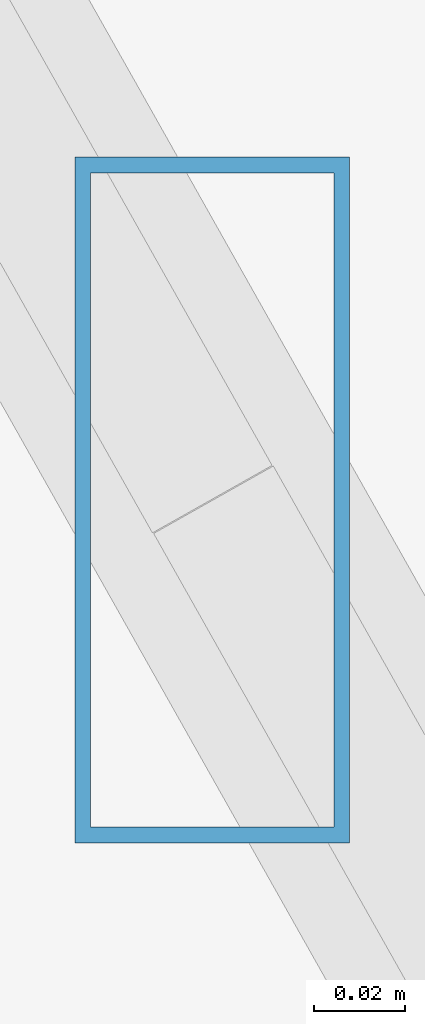
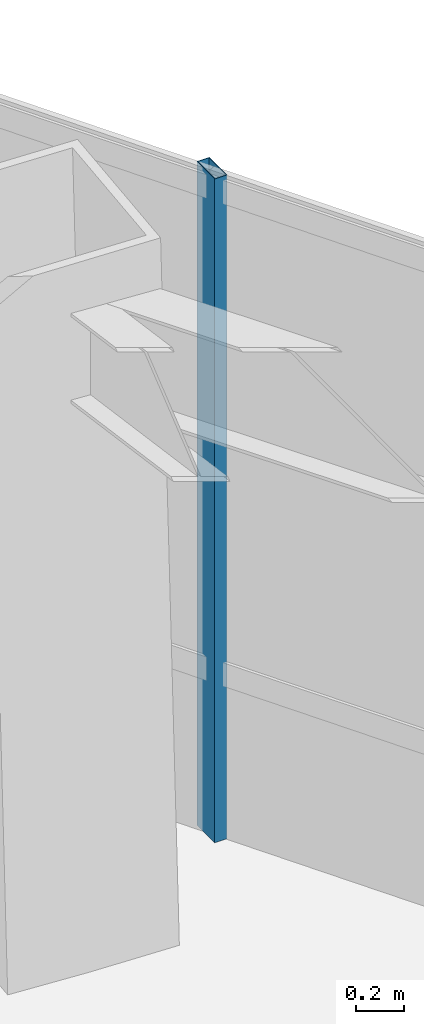
# One storey, part 32 of 42: 1 member, 1 element without a shape of its own.
"""IFC4 building model written with IfcOpenShell, lengths in metres."""

from ifc_helpers import new_model, si_unit, direction, frame, origin, origin_2d, place, context, subcontext, project, spatial, hollow_rectangle, extrude, source, transform, mapped, material, material_profile, profile_set, type_object, type_shapes, element, aggregate, save


model = new_model("IFC4")

# Units and contexts
model_context = context("Model", 3, precision=1e-05, world=origin(), true_north=direction((0.0, 1.0)))
body_context = subcontext(model_context, "Body", "Model", "MODEL_VIEW")
ifc_project = project(units=[si_unit("LENGTHUNIT", "METRE"), si_unit("AREAUNIT", "SQUARE_METRE"), si_unit("VOLUMEUNIT", "CUBIC_METRE"), si_unit("PLANEANGLEUNIT", "RADIAN"), si_unit("MASSUNIT", "GRAM", prefix="KILO")], contexts=[model_context])

# Site, building, storey
site_placement = place(None, origin())
site = spatial("IfcSite", under=ifc_project, at=site_placement, CompositionType="ELEMENT")
building_placement = place(site_placement, origin())
building = spatial("IfcBuilding", under=site, at=building_placement, Name="Caelisora Broadcast Tower", CompositionType="ELEMENT")
storey_placement = place(building_placement, frame((0.0, 0.0, 184.050048828125)))
storey = spatial("IfcBuildingStorey", under=building, at=storey_placement, Name="L48", CompositionType="ELEMENT", Elevation=184.050048828125)

# Curtain wall, member
ifc_material_1 = material(Name="Unitised Aluminium and Low-E Glass Curtain Wall", Category="glass")
curtain_wall_type = type_object("IfcCurtainWallType", Name="CW-Z4", PredefinedType="NOTDEFINED", material=ifc_material_1)
curtain_wall_placement = place(storey_placement, origin())
curtain_wall = element("IfcCurtainWall", 1, at=curtain_wall_placement, inside=storey, type_object=curtain_wall_type, Name="L48 curtain wall CW-Z4", PredefinedType="NOTDEFINED")
ifc_material_2 = material(Name="Aluminium 6063-T6 Anodised Terracotta Bronze", Category="aluminium")
ifc_material_profile = material_profile(ifc_material_2, hollow_rectangle(XDim=0.06005859375, YDim=0.14990234375, WallThickness=0.00341796875, at=origin_2d()), Name="Aluminium 6063-T6 Anodised Terracotta Bronze")
ifc_profile_set = profile_set([ifc_material_profile], Name="Aluminium 6063-T6 Anodised Terracotta Bronze")
member_type = type_object("IfcMemberType", Name="CWM-03", PredefinedType="MULLION", material=ifc_profile_set)
shared_shape = source(origin(), body_context, "Body", "SweptSolid", [
    extrude(hollow_rectangle(XDim=0.06005859375, YDim=0.14990234375, WallThickness=0.00341796875, at=origin_2d()), origin(), (0.0, 0.0, 1.0), 3.39990234375),
])
type_shapes(member_type, [shared_shape])
member_placement = place(storey_placement, frame((44.48388671875, 46.780517578125, 0.0), z_axis=(0.0, 0.0, 1.0), x_axis=(1.0, 0.0, 0.0)))
member = element("IfcMember", 2, at=member_placement, type_object=member_type, Name="L48-CW-B01 mullion #1", PredefinedType="MULLION", context=body_context, shape_type="MappedRepresentation", body=[
    mapped(shared_shape, transform((0.0, 0.0, 0.0), scale=1.0)),
])
aggregate(curtain_wall, [member])

save(model, "model.ifc")
